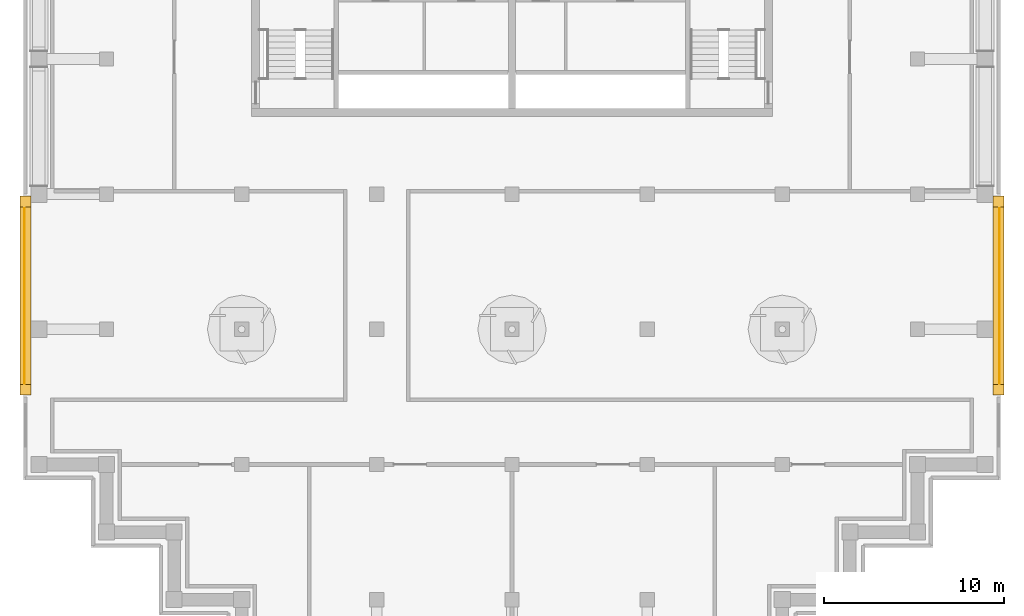
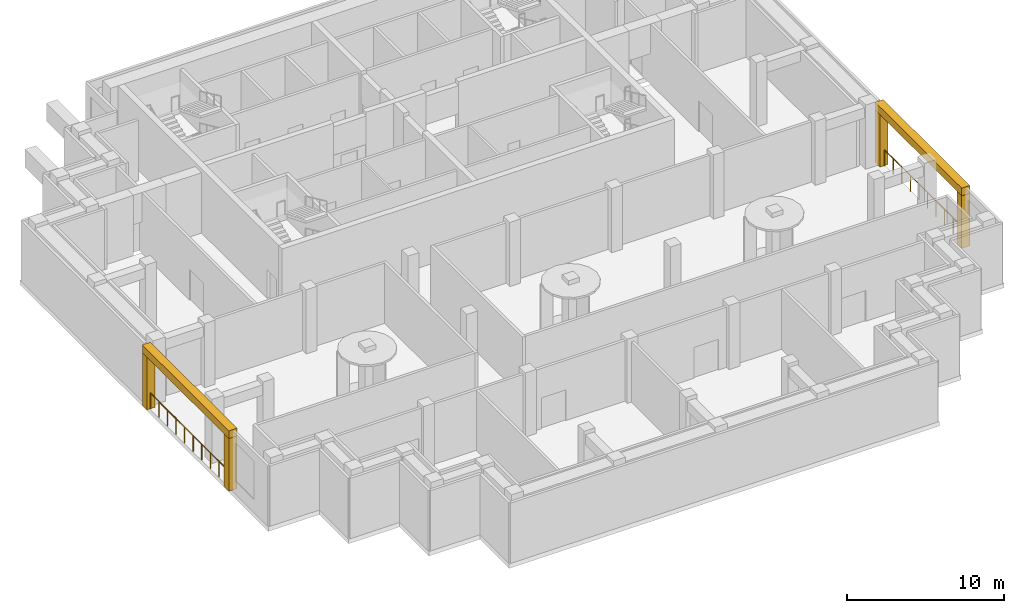
# One storey, part 6 of 8: 6 coverings, 2 railings.
"""IFC4 building model written with IfcOpenShell, lengths in metres."""

from ifc_helpers import new_model, si_unit, direction, frame, origin, origin_2d, place, context, subcontext, project, spatial, polyline, circle, outline, extrude, material, layer, layer_set, type_object, element, save


model = new_model("IFC4")

# Units and contexts
model_context = context("Model", 3, precision=1e-05, world=origin(), true_north=direction((0.0, 1.0)))
body_context = subcontext(model_context, "Body", "Model", "MODEL_VIEW")
ifc_project = project(units=[si_unit("LENGTHUNIT", "METRE"), si_unit("AREAUNIT", "SQUARE_METRE"), si_unit("VOLUMEUNIT", "CUBIC_METRE"), si_unit("PLANEANGLEUNIT", "RADIAN"), si_unit("MASSUNIT", "GRAM", prefix="KILO")], contexts=[model_context])

# Site, building, storey
site_placement = place(None, origin())
site = spatial("IfcSite", under=ifc_project, at=site_placement, CompositionType="ELEMENT")
building_placement = place(site_placement, origin())
building = spatial("IfcBuilding", under=site, at=building_placement, Name="Pilkhan Gate Tower", CompositionType="ELEMENT")
storey_placement = place(building_placement, frame((0.0, 0.0, 253.5)))
storey = spatial("IfcBuildingStorey", under=building, at=storey_placement, Name="L66", CompositionType="ELEMENT", Elevation=253.5)

# Railings
ifc_material_1 = material(Name="Stainless steel posts, laminated glass infill", Category="steel")
railing_type = type_object("IfcRailingType", Name="Slot guard G4", PredefinedType="BALUSTRADE", material=ifc_material_1)
for number, where, name in (
    (1, (47.949951171875, 56.949951171875, 0.0), "Wind turbine slot guard L66"),
    (2, (102.050048828125, 56.949951171875, 0.0), "Wind turbine slot guard L66"),
):
    element("IfcRailing", number, at=place(storey_placement, frame(where)), inside=storey, type_object=railing_type, Name=name, PredefinedType="BALUSTRADE", context=body_context, shape_type="SweptSolid", body=[
        extrude(circle(Radius=0.02392578125, at=origin_2d()), frame((0.0, 0.0, 1.22607421875), z_axis=(0.0, 1.0, 0.0), x_axis=(-1.0, 0.0, 0.0)), (0.0, 0.0, 1.0), 9.85009765625),
        extrude(circle(Radius=0.02099609375, at=origin_2d()), origin(), (0.0, 0.0, 1.0), 1.201904296875),
        extrude(circle(Radius=0.02099609375, at=origin_2d()), frame((0.0, 1.094482421875, 0.0)), (0.0, 0.0, 1.0), 1.201904296875),
        extrude(circle(Radius=0.02099609375, at=origin_2d()), frame((0.0, 2.18896484375, 0.0)), (0.0, 0.0, 1.0), 1.201904296875),
        extrude(circle(Radius=0.02099609375, at=origin_2d()), frame((0.0, 3.283447265625, 0.0)), (0.0, 0.0, 1.0), 1.201904296875),
        extrude(circle(Radius=0.02099609375, at=origin_2d()), frame((0.0, 4.3779296875, 0.0)), (0.0, 0.0, 1.0), 1.201904296875),
        extrude(circle(Radius=0.02099609375, at=origin_2d()), frame((0.0, 5.47216796875, 0.0)), (0.0, 0.0, 1.0), 1.201904296875),
        extrude(circle(Radius=0.02099609375, at=origin_2d()), frame((0.0, 6.566650390625, 0.0)), (0.0, 0.0, 1.0), 1.201904296875),
        extrude(circle(Radius=0.02099609375, at=origin_2d()), frame((0.0, 7.6611328125, 0.0)), (0.0, 0.0, 1.0), 1.201904296875),
        extrude(circle(Radius=0.02099609375, at=origin_2d()), frame((0.0, 8.755615234375, 0.0)), (0.0, 0.0, 1.0), 1.201904296875),
        extrude(circle(Radius=0.02099609375, at=origin_2d()), frame((0.0, 9.85009765625, 0.0)), (0.0, 0.0, 1.0), 1.201904296875),
    ])

# Coverings
ifc_material_2 = material(Name="Board-marked Concrete C40/50", Category="concrete")
ifc_layer = layer(ifc_material_2, 0.60009765625)
ifc_layer_set = layer_set([ifc_layer], Name="Slot portal frame PF600")
covering_type = type_object("IfcCoveringType", Name="Slot portal frame PF600", PredefinedType="CLADDING", material=ifc_layer_set)
covering_1_placement = place(storey_placement, origin())
element("IfcCovering", 3, at=covering_1_placement, inside=storey, type_object=covering_type, Name="Slot portal frame west", PredefinedType="CLADDING", context=body_context, shape_type="SweptSolid", body=[
    extrude(outline(polyline([(47.699951171875, 56.35009765625), (48.300048828125, 56.35009765625), (48.300048828125, 56.949951171875), (47.699951171875, 56.949951171875), (47.699951171875, 56.35009765625)])), origin(), (0.0, 0.0, 1.0), 4.10009765625),
])
covering_2_placement = place(storey_placement, origin())
element("IfcCovering", 4, at=covering_2_placement, inside=storey, type_object=covering_type, Name="Slot portal frame west", PredefinedType="CLADDING", context=body_context, shape_type="SweptSolid", body=[
    extrude(outline(polyline([(47.699951171875, 66.800048828125), (48.300048828125, 66.800048828125), (48.300048828125, 67.39990234375), (47.699951171875, 67.39990234375), (47.699951171875, 66.800048828125)])), origin(), (0.0, 0.0, 1.0), 4.10009765625),
])
covering_3_placement = place(storey_placement, frame((0.0, 0.0, 4.10009765625)))
element("IfcCovering", 5, at=covering_3_placement, inside=storey, type_object=covering_type, Name="Slot portal frame west", PredefinedType="CLADDING", context=body_context, shape_type="SweptSolid", body=[
    extrude(outline(polyline([(47.699951171875, 56.35009765625), (48.300048828125, 56.35009765625), (48.300048828125, 67.39990234375), (47.699951171875, 67.39990234375), (47.699951171875, 56.35009765625)])), origin(), (0.0, 0.0, 1.0), 0.599853515625),
])
covering_4_placement = place(storey_placement, origin())
element("IfcCovering", 6, at=covering_4_placement, inside=storey, type_object=covering_type, Name="Slot portal frame east", PredefinedType="CLADDING", context=body_context, shape_type="SweptSolid", body=[
    extrude(outline(polyline([(101.699951171875, 56.35009765625), (102.300048828125, 56.35009765625), (102.300048828125, 56.949951171875), (101.699951171875, 56.949951171875), (101.699951171875, 56.35009765625)])), origin(), (0.0, 0.0, 1.0), 4.10009765625),
])
covering_5_placement = place(storey_placement, origin())
element("IfcCovering", 7, at=covering_5_placement, inside=storey, type_object=covering_type, Name="Slot portal frame east", PredefinedType="CLADDING", context=body_context, shape_type="SweptSolid", body=[
    extrude(outline(polyline([(101.699951171875, 66.800048828125), (102.300048828125, 66.800048828125), (102.300048828125, 67.39990234375), (101.699951171875, 67.39990234375), (101.699951171875, 66.800048828125)])), origin(), (0.0, 0.0, 1.0), 4.10009765625),
])
covering_6_placement = place(storey_placement, frame((0.0, 0.0, 4.10009765625)))
element("IfcCovering", 8, at=covering_6_placement, inside=storey, type_object=covering_type, Name="Slot portal frame east", PredefinedType="CLADDING", context=body_context, shape_type="SweptSolid", body=[
    extrude(outline(polyline([(101.699951171875, 56.35009765625), (102.300048828125, 56.35009765625), (102.300048828125, 67.39990234375), (101.699951171875, 67.39990234375), (101.699951171875, 56.35009765625)])), origin(), (0.0, 0.0, 1.0), 0.599853515625),
])

save(model, "model.ifc")
